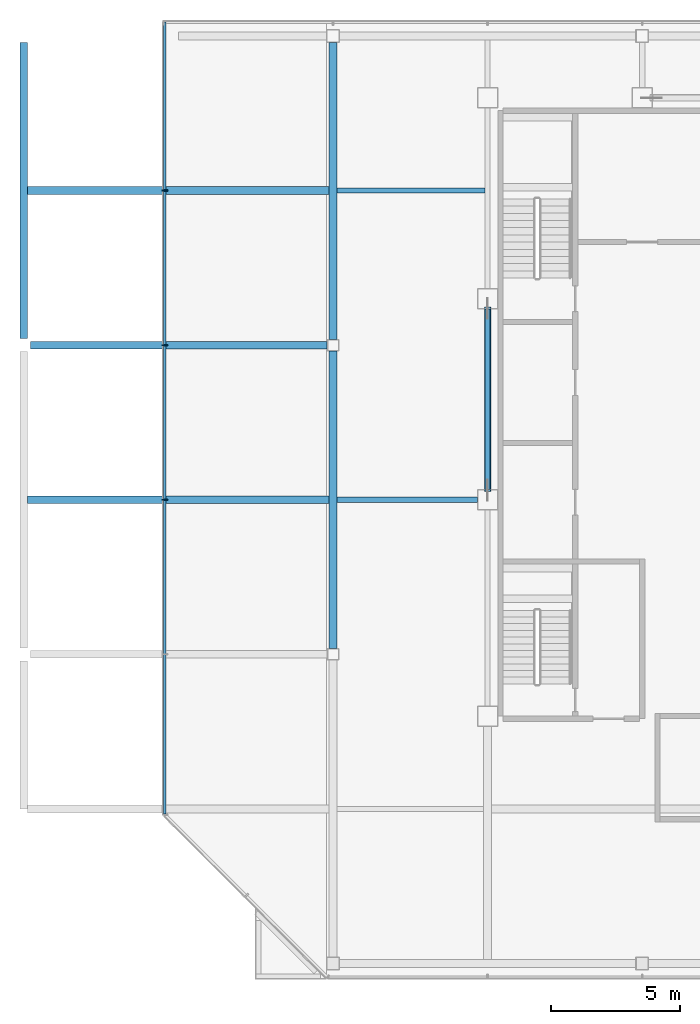
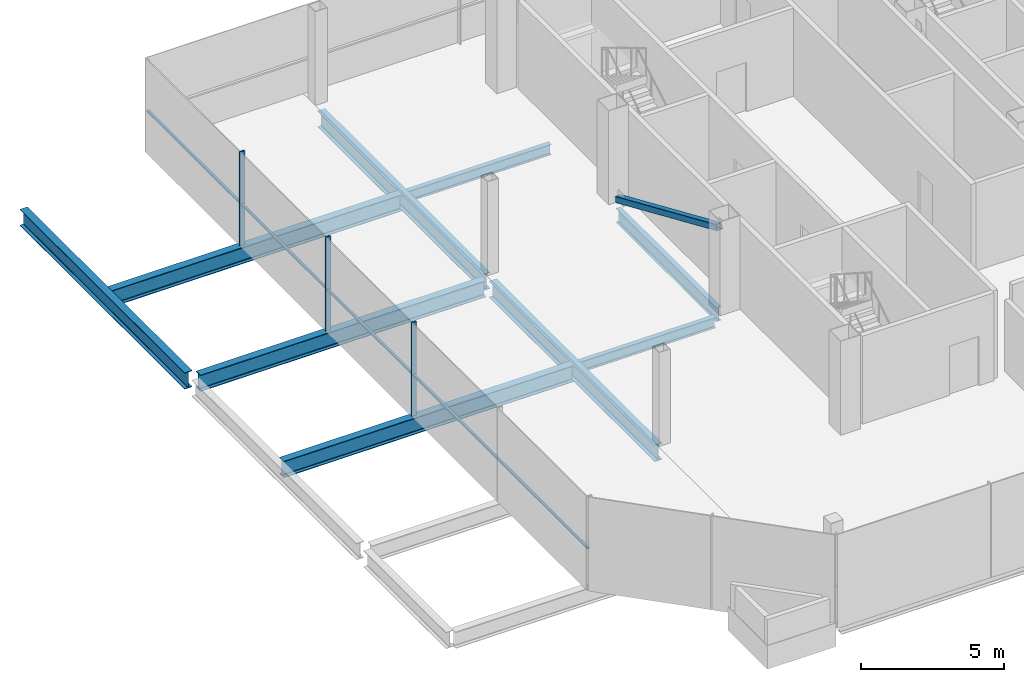
# One storey, part 5 of 17: 9 beams, 5 members, 1 element without a shape of its own.
"""IFC4 building model written with IfcOpenShell, lengths in metres."""

from ifc_helpers import new_model, si_unit, direction, frame, origin, origin_2d, place, context, subcontext, project, spatial, rectangle, hollow_rectangle, i_section, extrude, material, material_profile, profile_set, type_object, element, aggregate, save


model = new_model("IFC4")

# Units and contexts
model_context = context("Model", 3, precision=1e-05, world=origin(), true_north=direction((0.0, 1.0)))
body_context = subcontext(model_context, "Body", "Model", "MODEL_VIEW")
ifc_project = project(units=[si_unit("LENGTHUNIT", "METRE"), si_unit("AREAUNIT", "SQUARE_METRE"), si_unit("VOLUMEUNIT", "CUBIC_METRE"), si_unit("PLANEANGLEUNIT", "RADIAN"), si_unit("MASSUNIT", "GRAM", prefix="KILO")], contexts=[model_context])

# Site, building, storey
site_placement = place(None, origin())
site = spatial("IfcSite", under=ifc_project, at=site_placement, CompositionType="ELEMENT")
building_placement = place(site_placement, origin())
building = spatial("IfcBuilding", under=site, at=building_placement, Name="Sorahane Residences", CompositionType="ELEMENT")
storey_placement = place(building_placement, frame((0.0, 0.0, 341.800048828125)))
storey = spatial("IfcBuildingStorey", under=building, at=storey_placement, Name="L81", CompositionType="ELEMENT", Elevation=341.800048828125)

# Member
ifc_material_1 = material(Name="Steel Q355B", Category="steel")
ifc_material_profile_1 = material_profile(ifc_material_1, hollow_rectangle(XDim=0.25, YDim=0.25, WallThickness=0.011962890625, InnerFilletRadius=0.006103515625, OuterFilletRadius=0.01806640625, at=origin_2d()), Name="RHS 250x250x12")
ifc_profile_set_1 = profile_set([ifc_material_profile_1], Name="Steel Q355B")
member_type_1 = type_object("IfcMemberType", Name="Core brace RHS 250x250x12 Q355B", PredefinedType="BRACE", material=ifc_profile_set_1)
member_1_placement = place(storey_placement, frame((6.0, 37.429931640625, 0.11181640625), z_axis=(0.0, -0.916752232611, 0.399456310506), x_axis=(1.0, 0.0, 0.0)))
element("IfcMember", 1, at=member_1_placement, inside=storey, type_object=member_type_1, Name="Core brace L81 x6-2", PredefinedType="BRACE", context=body_context, shape_type="SweptSolid", body=[
    extrude(hollow_rectangle(XDim=0.25, YDim=0.25, WallThickness=0.011962890625, InnerFilletRadius=0.006103515625, OuterFilletRadius=0.01806640625, at=origin_2d()), origin(), (0.0, 0.0, 1.0), 7.700927734375),
])

# Curtain wall, members
ifc_material_2 = material(Name="Dark low-e glass and black anodised aluminium", Category="aluminium")
curtain_wall_type = type_object("IfcCurtainWallType", Name="Curtain wall CW-6 Crown unitised wall", PredefinedType="NOTDEFINED", material=ifc_material_2)
curtain_wall_placement = place(storey_placement, origin())
curtain_wall = element("IfcCurtainWall", 2, at=curtain_wall_placement, inside=storey, type_object=curtain_wall_type, Name="CW-6 curtain wall L81 W1", PredefinedType="NOTDEFINED")
ifc_material_3 = material(Name="Black anodised aluminium", Category="aluminium")
ifc_material_profile_2 = material_profile(ifc_material_3, rectangle(XDim=0.199951171875, YDim=0.050048828125, at=origin_2d()), Name="Curtain wall mullion CW-6 black anodised aluminium 50x200")
ifc_profile_set_2 = profile_set([ifc_material_profile_2], Name="Black anodised aluminium")
member_type_2 = type_object("IfcMemberType", Name="Curtain wall mullion CW-6 black anodised aluminium 50x200", PredefinedType="MULLION", material=ifc_profile_set_2)
member_2_placement = place(storey_placement, frame((-6.52001953125, 42.0, -0.25), z_axis=(0.0, 0.0, 1.0), x_axis=(-1.0, 0.0, 0.0)))
member_2 = element("IfcMember", 3, at=member_2_placement, type_object=member_type_2, Name="CW-6 mullion L81 W1.2", PredefinedType="MULLION", context=body_context, shape_type="SweptSolid", body=[
    extrude(rectangle(XDim=0.199951171875, YDim=0.050048828125, at=origin_2d()), origin(), (0.0, 0.0, 1.0), 4.0),
])
member_3_placement = place(storey_placement, frame((-6.52001953125, 36.0, -0.25), z_axis=(0.0, 0.0, 1.0), x_axis=(-1.0, 0.0, 0.0)))
member_3 = element("IfcMember", 4, at=member_3_placement, type_object=member_type_2, Name="CW-6 mullion L81 W1.3", PredefinedType="MULLION", context=body_context, shape_type="SweptSolid", body=[
    extrude(rectangle(XDim=0.199951171875, YDim=0.050048828125, at=origin_2d()), origin(), (0.0, 0.0, 1.0), 4.0),
])
member_4_placement = place(storey_placement, frame((-6.52001953125, 30.0, -0.25), z_axis=(0.0, 0.0, 1.0), x_axis=(-1.0, 0.0, 0.0)))
member_4 = element("IfcMember", 5, at=member_4_placement, type_object=member_type_2, Name="CW-6 mullion L81 W1.4", PredefinedType="MULLION", context=body_context, shape_type="SweptSolid", body=[
    extrude(rectangle(XDim=0.199951171875, YDim=0.050048828125, at=origin_2d()), origin(), (0.0, 0.0, 1.0), 4.0),
])
ifc_material_4 = material(Name="Black anodised aluminium", Category="aluminium")
ifc_material_profile_3 = material_profile(ifc_material_4, rectangle(XDim=0.10009765625, YDim=0.06005859375, at=origin_2d()), Name="Curtain wall transom CW-6 black anodised aluminium 60x100")
ifc_profile_set_3 = profile_set([ifc_material_profile_3], Name="Black anodised aluminium")
member_type_3 = type_object("IfcMemberType", Name="Curtain wall transom CW-6 black anodised aluminium 60x100", PredefinedType="USERDEFINED", material=ifc_profile_set_3)
member_5_placement = place(storey_placement, frame((-6.530029296875, 48.550048828125, 1.5), z_axis=(0.0, -1.0, 0.0), x_axis=(1.0, 0.0, 0.0)))
member_5 = element("IfcMember", 6, at=member_5_placement, type_object=member_type_3, Name="CW-6 transom L81 W1", ObjectType="TRANSOM", PredefinedType="USERDEFINED", context=body_context, shape_type="SweptSolid", body=[
    extrude(rectangle(XDim=0.10009765625, YDim=0.06005859375, at=origin_2d()), origin(), (0.0, 0.0, 1.0), 30.74853515625),
])
aggregate(curtain_wall, [member_2, member_3, member_4, member_5])

# Beams
ifc_material_5 = material(Name="Steel Q355B", Category="steel")
ifc_material_profile_4 = material_profile(ifc_material_5, i_section(OverallWidth=0.199951171875, OverallDepth=0.449951171875, WebThickness=0.009033203125, FlangeThickness=0.013916015625, FilletRadius=0.02001953125, at=origin_2d()), Name="HN 450x200x9x14")
ifc_profile_set_4 = profile_set([ifc_material_profile_4], Name="Steel Q355B")
beam_type_1 = type_object("IfcBeamType", Name="Steel floor beam HN 450x200x9x14 Q355B", PredefinedType="BEAM", material=ifc_profile_set_4)
beam_1_placement = place(storey_placement, frame((0.14990234375, 30.0, -0.47509765625), z_axis=(1.0, 0.0, 0.0), x_axis=(0.0, 1.0, 0.0)))
element("IfcBeam", 7, at=beam_1_placement, inside=storey, type_object=beam_type_1, Name="Beam L81 045", PredefinedType="BEAM", context=body_context, shape_type="SweptSolid", body=[
    extrude(i_section(OverallWidth=0.199951171875, OverallDepth=0.449951171875, WebThickness=0.009033203125, FlangeThickness=0.013916015625, FilletRadius=0.02001953125, at=origin_2d()), origin(), (0.0, 0.0, 1.0), 5.4501953125),
])
beam_2_placement = place(storey_placement, frame((0.14990234375, 42.0, -0.47509765625), z_axis=(1.0, 0.0, 0.0), x_axis=(0.0, 1.0, 0.0)))
element("IfcBeam", 8, at=beam_2_placement, inside=storey, type_object=beam_type_1, Name="Beam L81 048", PredefinedType="BEAM", context=body_context, shape_type="SweptSolid", body=[
    extrude(i_section(OverallWidth=0.199951171875, OverallDepth=0.449951171875, WebThickness=0.009033203125, FlangeThickness=0.013916015625, FilletRadius=0.02001953125, at=origin_2d()), origin(), (0.0, 0.0, 1.0), 5.75),
])
ifc_material_6 = material(Name="Steel Q355B", Category="steel")
ifc_material_profile_5 = material_profile(ifc_material_6, i_section(OverallWidth=0.199951171875, OverallDepth=0.60009765625, WebThickness=0.010986328125, FlangeThickness=0.01708984375, FilletRadius=0.02392578125, at=origin_2d()), Name="HN 600x200x11x17")
ifc_profile_set_5 = profile_set([ifc_material_profile_5], Name="Steel Q355B")
beam_type_2 = type_object("IfcBeamType", Name="Steel floor beam HN 600x200x11x17 Q355B", PredefinedType="BEAM", material=ifc_profile_set_5)
beam_3_placement = place(storey_placement, frame((6.0, 30.39990234375, -0.550048828125), z_axis=(0.0, 1.0, 0.0), x_axis=(-1.0, 0.0, 0.0)))
element("IfcBeam", 9, at=beam_3_placement, inside=storey, type_object=beam_type_2, Name="Beam L81 018", PredefinedType="BEAM", context=body_context, shape_type="SweptSolid", body=[
    extrude(i_section(OverallWidth=0.199951171875, OverallDepth=0.60009765625, WebThickness=0.010986328125, FlangeThickness=0.01708984375, FilletRadius=0.02392578125, at=origin_2d()), origin(), (0.0, 0.0, 1.0), 7.0),
])
ifc_material_7 = material(Name="Steel Q355B", Category="steel")
ifc_material_profile_6 = material_profile(ifc_material_7, i_section(OverallWidth=0.300048828125, OverallDepth=0.699951171875, WebThickness=0.012939453125, FlangeThickness=0.02392578125, FilletRadius=0.028076171875, at=origin_2d()), Name="HN 700x300x13x24")
ifc_profile_set_6 = profile_set([ifc_material_profile_6], Name="Steel Q355B")
beam_type_3 = type_object("IfcBeamType", Name="Steel floor beam HN 700x300x13x24 Q355B", PredefinedType="BEAM", material=ifc_profile_set_6)
beam_4_placement = place(storey_placement, frame((-11.75, 36.0, -0.60009765625), z_axis=(1.0, 0.0, 0.0), x_axis=(0.0, 1.0, 0.0)))
element("IfcBeam", 10, at=beam_4_placement, inside=storey, type_object=beam_type_3, Name="Beam L81 004", PredefinedType="BEAM", context=body_context, shape_type="SweptSolid", body=[
    extrude(i_section(OverallWidth=0.300048828125, OverallDepth=0.699951171875, WebThickness=0.012939453125, FlangeThickness=0.02392578125, FilletRadius=0.028076171875, at=origin_2d()), origin(), (0.0, 0.0, 1.0), 11.52490234375),
])
beam_5_placement = place(storey_placement, frame((-12.0, 36.25, -0.60009765625), z_axis=(0.0, 1.0, 0.0), x_axis=(-1.0, 0.0, 0.0)))
element("IfcBeam", 11, at=beam_5_placement, inside=storey, type_object=beam_type_3, Name="Beam L81 011", PredefinedType="BEAM", context=body_context, shape_type="SweptSolid", body=[
    extrude(i_section(OverallWidth=0.300048828125, OverallDepth=0.699951171875, WebThickness=0.012939453125, FlangeThickness=0.02392578125, FilletRadius=0.028076171875, at=origin_2d()), origin(), (0.0, 0.0, 1.0), 11.5),
])
beam_6_placement = place(storey_placement, frame((0.0, 24.22509765625, -0.60009765625), z_axis=(0.0, 1.0, 0.0), x_axis=(-1.0, 0.0, 0.0)))
element("IfcBeam", 12, at=beam_6_placement, inside=storey, type_object=beam_type_3, Name="Beam L81 014", PredefinedType="BEAM", context=body_context, shape_type="SweptSolid", body=[
    extrude(i_section(OverallWidth=0.300048828125, OverallDepth=0.699951171875, WebThickness=0.012939453125, FlangeThickness=0.02392578125, FilletRadius=0.028076171875, at=origin_2d()), origin(), (0.0, 0.0, 1.0), 11.5498046875),
])
beam_7_placement = place(storey_placement, frame((0.0, 36.22509765625, -0.60009765625), z_axis=(0.0, 1.0, 0.0), x_axis=(-1.0, 0.0, 0.0)))
element("IfcBeam", 13, at=beam_7_placement, inside=storey, type_object=beam_type_3, Name="Beam L81 015", PredefinedType="BEAM", context=body_context, shape_type="SweptSolid", body=[
    extrude(i_section(OverallWidth=0.300048828125, OverallDepth=0.699951171875, WebThickness=0.012939453125, FlangeThickness=0.02392578125, FilletRadius=0.028076171875, at=origin_2d()), origin(), (0.0, 0.0, 1.0), 11.52490234375),
])
for number, where, z_axis, x_axis, name in (
    (14, (-11.85009765625, 30.0, -0.60009765625), (1.0, 0.0, 0.0), (0.0, 1.0, 0.0), "Beam L81 044"),
    (15, (-11.85009765625, 42.0, -0.60009765625), (1.0, 0.0, 0.0), (0.0, 1.0, 0.0), "Beam L81 047"),
):
    element("IfcBeam", number, at=place(storey_placement, frame(where, z_axis=z_axis, x_axis=x_axis)), inside=storey, type_object=beam_type_3, Name=name, PredefinedType="BEAM", context=body_context, shape_type="SweptSolid", body=[
        extrude(i_section(OverallWidth=0.300048828125, OverallDepth=0.699951171875, WebThickness=0.012939453125, FlangeThickness=0.02392578125, FilletRadius=0.028076171875, at=origin_2d()), origin(), (0.0, 0.0, 1.0), 11.7001953125),
    ])

save(model, "model.ifc")
